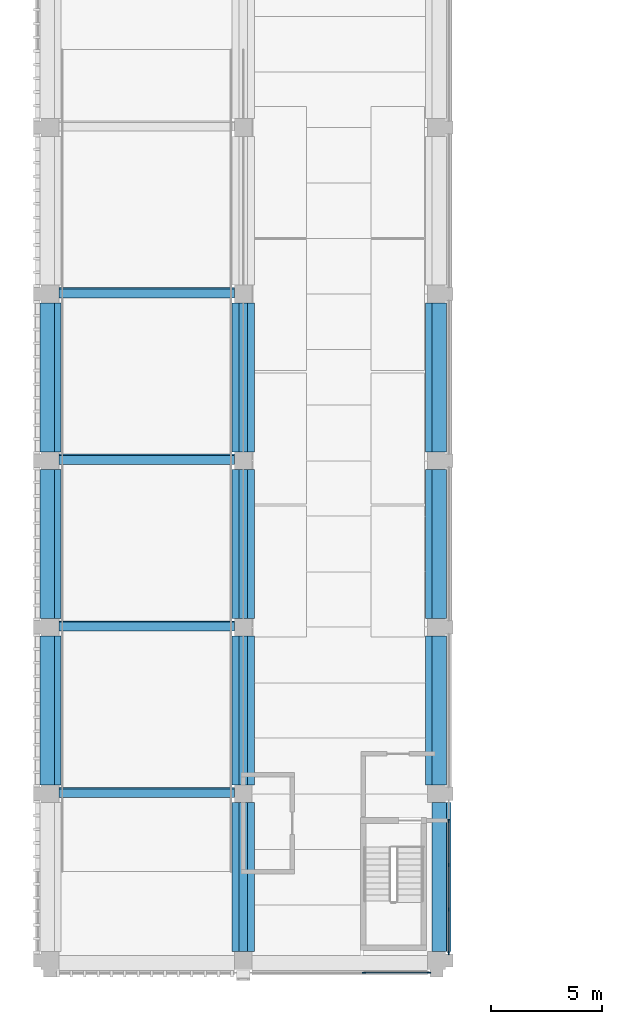
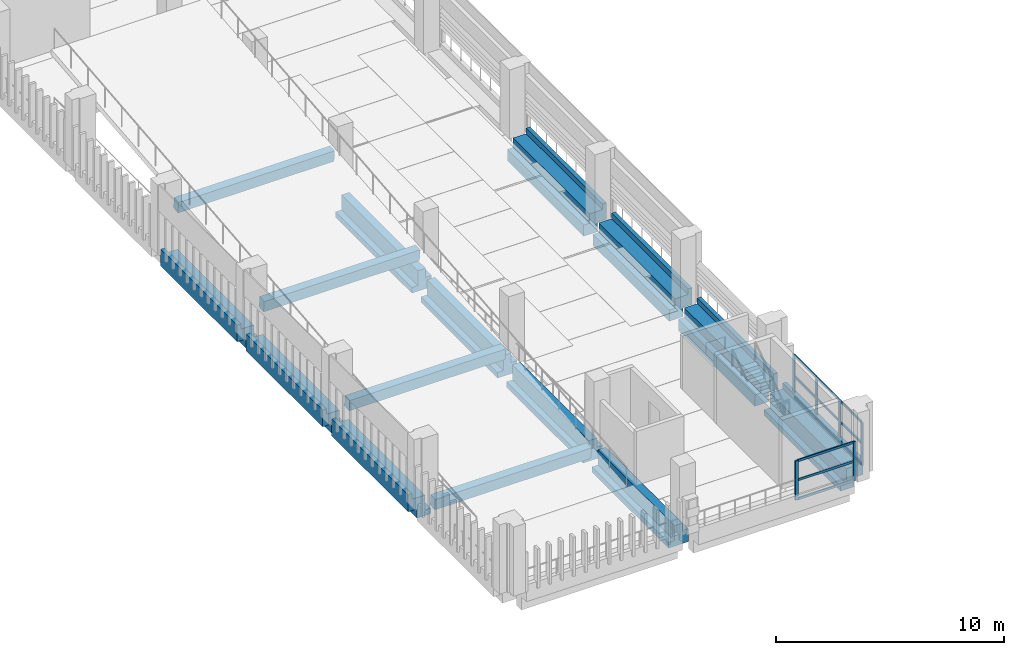
# One storey, part 2 of 62: 18 members, 15 beams, 2 elements without a shape of their own.
"""IFC4 building model written with IfcOpenShell, lengths in metres."""

from ifc_helpers import new_model, si_unit, direction, frame, origin, origin_2d, place, context, subcontext, project, spatial, polyline, rectangle, outline, extrude, material, layer, layer_set, material_profile, profile_set, type_object, element, aggregate, save


model = new_model("IFC4")

# Units and contexts
model_context = context("Model", 3, precision=1e-05, world=origin(), true_north=direction((0.0, 1.0)))
body_context = subcontext(model_context, "Body", "Model", "MODEL_VIEW")
ifc_project = project(units=[si_unit("LENGTHUNIT", "METRE"), si_unit("AREAUNIT", "SQUARE_METRE"), si_unit("VOLUMEUNIT", "CUBIC_METRE"), si_unit("PLANEANGLEUNIT", "RADIAN"), si_unit("MASSUNIT", "GRAM", prefix="KILO")], contexts=[model_context])

# Site, building, storey
site_placement = place(None, origin())
site = spatial("IfcSite", under=ifc_project, at=site_placement, CompositionType="ELEMENT")
building_placement = place(site_placement, origin())
building = spatial("IfcBuilding", under=site, at=building_placement, Name="Cour d'Honneur Mobility Palace", CompositionType="ELEMENT")
storey_placement = place(building_placement, frame((0.0, 0.0, 19.300048828125)))
storey = spatial("IfcBuildingStorey", under=building, at=storey_placement, Name="L05", CompositionType="ELEMENT", Elevation=19.300048828125)

# Curtain wall, members
ifc_material_1 = material(Name="Aluminium and glass", Category="aluminium")
ifc_layer = layer(ifc_material_1, 0.10009765625)
ifc_layer_set = layer_set([ifc_layer], Name="Aluminium and glass")
curtain_wall_type = type_object("IfcCurtainWallType", Name="Curtain wall run", PredefinedType="NOTDEFINED", material=ifc_layer_set)
curtain_wall_1_placement = place(storey_placement, origin())
curtain_wall_1 = element("IfcCurtainWall", 1, at=curtain_wall_1_placement, inside=storey, type_object=curtain_wall_type, Name="Curtain wall CW-161", PredefinedType="NOTDEFINED")
ifc_material_2 = material(Name="Aluminium", Category="aluminium")
ifc_material_profile_1 = material_profile(ifc_material_2, rectangle(XDim=0.06005859375, YDim=0.159912109375, at=origin_2d()), Name="Curtain wall mullion")
ifc_profile_set_1 = profile_set([ifc_material_profile_1], Name="Aluminium")
member_type_1 = type_object("IfcMemberType", Name="Curtain wall mullion", PredefinedType="MULLION", material=ifc_profile_set_1)
member_1_placement = place(storey_placement, frame((14.1298828125, -0.550048828125, 0.0), z_axis=(0.0, 0.0, 1.0), x_axis=(0.0, 1.0, 0.0)))
member_1 = element("IfcMember", 2, at=member_1_placement, type_object=member_type_1, Name="CW-161 mullion 1", PredefinedType="MULLION", context=body_context, shape_type="SweptSolid", body=[
    extrude(rectangle(XDim=0.06005859375, YDim=0.159912109375, at=origin_2d()), origin(), (0.0, 0.0, 1.0), 2.099853515625),
])
member_2_placement = place(storey_placement, frame((17.070068359375, -0.550048828125, 0.0), z_axis=(0.0, 0.0, 1.0), x_axis=(0.0, 1.0, 0.0)))
member_2 = element("IfcMember", 3, at=member_2_placement, type_object=member_type_1, Name="CW-161 mullion 2", PredefinedType="MULLION", context=body_context, shape_type="SweptSolid", body=[
    extrude(rectangle(XDim=0.06005859375, YDim=0.159912109375, at=origin_2d()), origin(), (0.0, 0.0, 1.0), 2.099853515625),
])

curtain_wall_2_placement = place(storey_placement, origin())
curtain_wall_2 = element("IfcCurtainWall", 4, at=curtain_wall_2_placement, inside=storey, type_object=curtain_wall_type, Name="Curtain wall CW-162", PredefinedType="NOTDEFINED")
member_3_placement = place(storey_placement, frame((17.949951171875, 0.330078125, 0.0), z_axis=(0.0, 0.0, 1.0), x_axis=(-1.0, 0.0, 0.0)))
member_3 = element("IfcMember", 5, at=member_3_placement, type_object=member_type_1, Name="CW-162 mullion 1", PredefinedType="MULLION", context=body_context, shape_type="SweptSolid", body=[
    extrude(rectangle(XDim=0.06005859375, YDim=0.159912109375, at=origin_2d()), origin(), (0.0, 0.0, 1.0), 2.300048828125),
])
member_4_placement = place(storey_placement, frame((17.949951171875, 2.300048828125, 0.0), z_axis=(0.0, 0.0, 1.0), x_axis=(-1.0, 0.0, 0.0)))
member_4 = element("IfcMember", 6, at=member_4_placement, type_object=member_type_1, Name="CW-162 mullion 2", PredefinedType="MULLION", context=body_context, shape_type="SweptSolid", body=[
    extrude(rectangle(XDim=0.06005859375, YDim=0.159912109375, at=origin_2d()), origin(), (0.0, 0.0, 1.0), 2.300048828125),
])
member_5_placement = place(storey_placement, frame((17.949951171875, 4.300048828125, 0.0), z_axis=(0.0, 0.0, 1.0), x_axis=(-1.0, 0.0, 0.0)))
member_5 = element("IfcMember", 7, at=member_5_placement, type_object=member_type_1, Name="CW-162 mullion 3", PredefinedType="MULLION", context=body_context, shape_type="SweptSolid", body=[
    extrude(rectangle(XDim=0.06005859375, YDim=0.159912109375, at=origin_2d()), origin(), (0.0, 0.0, 1.0), 2.300048828125),
])
member_6_placement = place(storey_placement, frame((17.949951171875, 6.27001953125, 0.0), z_axis=(0.0, 0.0, 1.0), x_axis=(-1.0, 0.0, 0.0)))
member_6 = element("IfcMember", 8, at=member_6_placement, type_object=member_type_1, Name="CW-162 mullion 4", PredefinedType="MULLION", context=body_context, shape_type="SweptSolid", body=[
    extrude(rectangle(XDim=0.06005859375, YDim=0.159912109375, at=origin_2d()), origin(), (0.0, 0.0, 1.0), 2.300048828125),
])

# Member
ifc_material_3 = material(Name="Aluminium", Category="aluminium")
ifc_material_profile_2 = material_profile(ifc_material_3, rectangle(XDim=0.06005859375, YDim=0.1201171875, at=origin_2d()), Name="Curtain wall transom")
ifc_profile_set_2 = profile_set([ifc_material_profile_2], Name="Aluminium")
member_type_2 = type_object("IfcMemberType", Name="Curtain wall transom", PredefinedType="USERDEFINED", material=ifc_profile_set_2)
member_7_placement = place(storey_placement, frame((14.159912109375, -0.550048828125, 0.030029296875), z_axis=(1.0, 0.0, 0.0), x_axis=(0.0, 1.0, 0.0)))
member_7 = element("IfcMember", 9, at=member_7_placement, type_object=member_type_2, Name="CW-161 transom 1.1", ObjectType="TRANSOM", PredefinedType="USERDEFINED", context=body_context, shape_type="SweptSolid", body=[
    extrude(rectangle(XDim=0.06005859375, YDim=0.1201171875, at=origin_2d()), origin(), (0.0, 0.0, 1.0), 2.880126953125),
])

member_8_placement = place(storey_placement, frame((14.159912109375, -0.550048828125, 1.050048828125), z_axis=(1.0, 0.0, 0.0), x_axis=(0.0, 1.0, 0.0)))
member_8 = element("IfcMember", 10, at=member_8_placement, type_object=member_type_2, Name="CW-161 transom 1.2", ObjectType="TRANSOM", PredefinedType="USERDEFINED", context=body_context, shape_type="SweptSolid", body=[
    extrude(rectangle(XDim=0.06005859375, YDim=0.1201171875, at=origin_2d()), origin(), (0.0, 0.0, 1.0), 2.880126953125),
])

member_9_placement = place(storey_placement, frame((14.159912109375, -0.550048828125, 2.070068359375), z_axis=(1.0, 0.0, 0.0), x_axis=(0.0, 1.0, 0.0)))
member_9 = element("IfcMember", 11, at=member_9_placement, type_object=member_type_2, Name="CW-161 transom 1.3", ObjectType="TRANSOM", PredefinedType="USERDEFINED", context=body_context, shape_type="SweptSolid", body=[
    extrude(rectangle(XDim=0.06005859375, YDim=0.1201171875, at=origin_2d()), origin(), (0.0, 0.0, 1.0), 2.880126953125),
])

aggregate(curtain_wall_1, [member_1, member_2, member_7, member_8, member_9])

member_10_placement = place(storey_placement, frame((17.949951171875, 0.360107421875, 0.030029296875), z_axis=(0.0, 1.0, 0.0), x_axis=(-1.0, 0.0, 0.0)))
member_10 = element("IfcMember", 12, at=member_10_placement, type_object=member_type_2, Name="CW-162 transom 1.1", ObjectType="TRANSOM", PredefinedType="USERDEFINED", context=body_context, shape_type="SweptSolid", body=[
    extrude(rectangle(XDim=0.06005859375, YDim=0.1201171875, at=origin_2d()), origin(), (0.0, 0.0, 1.0), 1.909912109375),
])

member_11_placement = place(storey_placement, frame((17.949951171875, 0.360107421875, 1.14990234375), z_axis=(0.0, 1.0, 0.0), x_axis=(-1.0, 0.0, 0.0)))
member_11 = element("IfcMember", 13, at=member_11_placement, type_object=member_type_2, Name="CW-162 transom 1.2", ObjectType="TRANSOM", PredefinedType="USERDEFINED", context=body_context, shape_type="SweptSolid", body=[
    extrude(rectangle(XDim=0.06005859375, YDim=0.1201171875, at=origin_2d()), origin(), (0.0, 0.0, 1.0), 1.909912109375),
])

member_12_placement = place(storey_placement, frame((17.949951171875, 0.360107421875, 2.27001953125), z_axis=(0.0, 1.0, 0.0), x_axis=(-1.0, 0.0, 0.0)))
member_12 = element("IfcMember", 14, at=member_12_placement, type_object=member_type_2, Name="CW-162 transom 1.3", ObjectType="TRANSOM", PredefinedType="USERDEFINED", context=body_context, shape_type="SweptSolid", body=[
    extrude(rectangle(XDim=0.06005859375, YDim=0.1201171875, at=origin_2d()), origin(), (0.0, 0.0, 1.0), 1.909912109375),
])

member_13_placement = place(storey_placement, frame((17.949951171875, 2.330078125, 0.030029296875), z_axis=(0.0, 1.0, 0.0), x_axis=(-1.0, 0.0, 0.0)))
member_13 = element("IfcMember", 15, at=member_13_placement, type_object=member_type_2, Name="CW-162 transom 2.1", ObjectType="TRANSOM", PredefinedType="USERDEFINED", context=body_context, shape_type="SweptSolid", body=[
    extrude(rectangle(XDim=0.06005859375, YDim=0.1201171875, at=origin_2d()), origin(), (0.0, 0.0, 1.0), 1.93994140625),
])

member_14_placement = place(storey_placement, frame((17.949951171875, 2.330078125, 1.14990234375), z_axis=(0.0, 1.0, 0.0), x_axis=(-1.0, 0.0, 0.0)))
member_14 = element("IfcMember", 16, at=member_14_placement, type_object=member_type_2, Name="CW-162 transom 2.2", ObjectType="TRANSOM", PredefinedType="USERDEFINED", context=body_context, shape_type="SweptSolid", body=[
    extrude(rectangle(XDim=0.06005859375, YDim=0.1201171875, at=origin_2d()), origin(), (0.0, 0.0, 1.0), 1.93994140625),
])

member_15_placement = place(storey_placement, frame((17.949951171875, 2.330078125, 2.27001953125), z_axis=(0.0, 1.0, 0.0), x_axis=(-1.0, 0.0, 0.0)))
member_15 = element("IfcMember", 17, at=member_15_placement, type_object=member_type_2, Name="CW-162 transom 2.3", ObjectType="TRANSOM", PredefinedType="USERDEFINED", context=body_context, shape_type="SweptSolid", body=[
    extrude(rectangle(XDim=0.06005859375, YDim=0.1201171875, at=origin_2d()), origin(), (0.0, 0.0, 1.0), 1.93994140625),
])

member_16_placement = place(storey_placement, frame((17.949951171875, 4.330078125, 0.030029296875), z_axis=(0.0, 1.0, 0.0), x_axis=(-1.0, 0.0, 0.0)))
member_16 = element("IfcMember", 18, at=member_16_placement, type_object=member_type_2, Name="CW-162 transom 3.1", ObjectType="TRANSOM", PredefinedType="USERDEFINED", context=body_context, shape_type="SweptSolid", body=[
    extrude(rectangle(XDim=0.06005859375, YDim=0.1201171875, at=origin_2d()), origin(), (0.0, 0.0, 1.0), 1.909912109375),
])

member_17_placement = place(storey_placement, frame((17.949951171875, 4.330078125, 1.14990234375), z_axis=(0.0, 1.0, 0.0), x_axis=(-1.0, 0.0, 0.0)))
member_17 = element("IfcMember", 19, at=member_17_placement, type_object=member_type_2, Name="CW-162 transom 3.2", ObjectType="TRANSOM", PredefinedType="USERDEFINED", context=body_context, shape_type="SweptSolid", body=[
    extrude(rectangle(XDim=0.06005859375, YDim=0.1201171875, at=origin_2d()), origin(), (0.0, 0.0, 1.0), 1.909912109375),
])

member_18_placement = place(storey_placement, frame((17.949951171875, 4.330078125, 2.27001953125), z_axis=(0.0, 1.0, 0.0), x_axis=(-1.0, 0.0, 0.0)))
member_18 = element("IfcMember", 20, at=member_18_placement, type_object=member_type_2, Name="CW-162 transom 3.3", ObjectType="TRANSOM", PredefinedType="USERDEFINED", context=body_context, shape_type="SweptSolid", body=[
    extrude(rectangle(XDim=0.06005859375, YDim=0.1201171875, at=origin_2d()), origin(), (0.0, 0.0, 1.0), 1.909912109375),
])

aggregate(curtain_wall_2, [member_3, member_4, member_5, member_6, member_10, member_11, member_12, member_13, member_14, member_15, member_16, member_17, member_18])

# Beams
ifc_material_4 = material(Name="Concrete C45", Category="concrete")
ifc_material_profile_3 = material_profile(ifc_material_4, outline(polyline([(0.5, -1.10009765625), (0.5, -0.800048828125), (0.199951171875, -0.800048828125), (0.199951171875, 0.0), (-0.199951171875, 0.0), (-0.199951171875, -0.5), (-0.5, -0.5), (-0.5, -1.10009765625), (0.5, -1.10009765625)])), Name="Inverted Tee Beam 400x1100 ledges 300/600 plain")
ifc_profile_set_3 = profile_set([ifc_material_profile_3], Name="Concrete C45")
beam_type_1 = type_object("IfcBeamType", Name="Inverted Tee Beam 400x1100 ledges 300/600 plain", PredefinedType="T_BEAM", material=ifc_profile_set_3)
for number, where, z_axis, x_axis, name in (
    (21, (8.699951171875, 7.89990234375, 0.0), (0.0, 1.0, 0.0), (-1.0, 0.0, 0.0), "Precast beam B11 B-C L05"),
    (22, (8.699951171875, 15.39990234375, 0.0), (0.0, 1.0, 0.0), (-1.0, 0.0, 0.0), "Precast beam B11 C-D L05"),
    (23, (8.699951171875, 22.89990234375, 0.0), (0.0, 1.0, 0.0), (-1.0, 0.0, 0.0), "Precast beam B11 D-E L05"),
):
    element("IfcBeam", number, at=place(storey_placement, frame(where, z_axis=z_axis, x_axis=x_axis)), inside=storey, type_object=beam_type_1, Name=name, PredefinedType="T_BEAM", context=body_context, shape_type="SweptSolid", body=[
        extrude(outline(polyline([(0.5, -1.10009765625), (0.5, -0.800048828125), (0.199951171875, -0.800048828125), (0.199951171875, 0.0), (-0.199951171875, 0.0), (-0.199951171875, -0.5), (-0.5, -0.5), (-0.5, -1.10009765625), (0.5, -1.10009765625)])), origin(), (0.0, 0.0, 1.0), 6.7001953125),
    ])
ifc_material_5 = material(Name="Concrete C45", Category="concrete")
ifc_material_profile_4 = material_profile(ifc_material_5, outline(polyline([(0.5, -1.10009765625), (0.5, -0.800048828125), (0.199951171875, -0.800048828125), (0.199951171875, 0.0), (-0.199951171875, 0.0), (-0.199951171875, -0.39990234375), (-0.5, -0.39990234375), (-0.5, -1.10009765625), (0.5, -1.10009765625)])), Name="Inverted Tee Beam 400x1100 ledges 300/700 plain")
ifc_profile_set_4 = profile_set([ifc_material_profile_4], Name="Concrete C45")
beam_type_2 = type_object("IfcBeamType", Name="Inverted Tee Beam 400x1100 ledges 300/700 plain", PredefinedType="T_BEAM", material=ifc_profile_set_4)
beam_1_placement = place(storey_placement, frame((8.699951171875, 0.39990234375, 0.0), z_axis=(0.0, 1.0, 0.0), x_axis=(-1.0, 0.0, 0.0)))
element("IfcBeam", 24, at=beam_1_placement, inside=storey, type_object=beam_type_2, Name="Precast beam B10 A-B L05", PredefinedType="T_BEAM", context=body_context, shape_type="SweptSolid", body=[
    extrude(outline(polyline([(0.5, -1.10009765625), (0.5, -0.800048828125), (0.199951171875, -0.800048828125), (0.199951171875, 0.0), (-0.199951171875, 0.0), (-0.199951171875, -0.39990234375), (-0.5, -0.39990234375), (-0.5, -1.10009765625), (0.5, -1.10009765625)])), origin(), (0.0, 0.0, 1.0), 6.7001953125),
])
ifc_material_6 = material(Name="Concrete C45", Category="concrete")
ifc_material_profile_5 = material_profile(ifc_material_6, outline(polyline([(0.5, -1.10009765625), (0.5, -0.800048828125), (0.199951171875, -0.800048828125), (0.199951171875, 0.0), (-0.199951171875, 0.0), (-0.449951171875, 0.0), (-0.449951171875, 0.300048828125), (-0.64990234375, 0.300048828125), (-0.64990234375, -0.60009765625), (-0.199951171875, -0.60009765625), (-0.199951171875, -1.10009765625), (0.5, -1.10009765625)])), Name="Ledger Beam 400x1100 ledge left 300 facade right")
ifc_profile_set_5 = profile_set([ifc_material_profile_5], Name="Concrete C45")
beam_type_3 = type_object("IfcBeamType", Name="Ledger Beam 400x1100 ledge left 300 facade right", PredefinedType="BEAM", material=ifc_profile_set_5)
beam_2_placement = place(storey_placement, frame((17.39990234375, 0.39990234375, 0.0), z_axis=(0.0, 1.0, 0.0), x_axis=(-1.0, 0.0, 0.0)))
element("IfcBeam", 25, at=beam_2_placement, inside=storey, type_object=beam_type_3, Name="Precast beam B3 A-B L05", PredefinedType="BEAM", context=body_context, shape_type="SweptSolid", body=[
    extrude(outline(polyline([(0.5, -1.10009765625), (0.5, -0.800048828125), (0.199951171875, -0.800048828125), (0.199951171875, 0.0), (-0.199951171875, 0.0), (-0.449951171875, 0.0), (-0.449951171875, 0.300048828125), (-0.64990234375, 0.300048828125), (-0.64990234375, -0.60009765625), (-0.199951171875, -0.60009765625), (-0.199951171875, -1.10009765625), (0.5, -1.10009765625)])), origin(), (0.0, 0.0, 1.0), 6.7001953125),
])
ifc_material_7 = material(Name="Concrete C45", Category="concrete")
ifc_material_profile_6 = material_profile(ifc_material_7, outline(polyline([(0.5, -1.10009765625), (0.5, -0.5), (0.199951171875, -0.5), (0.199951171875, 0.0), (-0.199951171875, 0.0), (-0.449951171875, 0.0), (-0.449951171875, 0.300048828125), (-0.64990234375, 0.300048828125), (-0.64990234375, -0.60009765625), (-0.199951171875, -0.60009765625), (-0.199951171875, -1.10009765625), (0.5, -1.10009765625)])), Name="Ledger Beam 400x1100 ledge left 600 facade right")
ifc_profile_set_6 = profile_set([ifc_material_profile_6], Name="Concrete C45")
beam_type_4 = type_object("IfcBeamType", Name="Ledger Beam 400x1100 ledge left 600 facade right", PredefinedType="BEAM", material=ifc_profile_set_6)
for number, where, z_axis, x_axis, name in (
    (26, (17.39990234375, 7.89990234375, 0.0), (0.0, 1.0, 0.0), (-1.0, 0.0, 0.0), "Precast beam B12 B-C L05"),
    (27, (17.39990234375, 15.39990234375, 0.0), (0.0, 1.0, 0.0), (-1.0, 0.0, 0.0), "Precast beam B12 C-D L05"),
    (28, (17.39990234375, 22.89990234375, 0.0), (0.0, 1.0, 0.0), (-1.0, 0.0, 0.0), "Precast beam B12 D-E L05"),
):
    element("IfcBeam", number, at=place(storey_placement, frame(where, z_axis=z_axis, x_axis=x_axis)), inside=storey, type_object=beam_type_4, Name=name, PredefinedType="BEAM", context=body_context, shape_type="SweptSolid", body=[
        extrude(outline(polyline([(0.5, -1.10009765625), (0.5, -0.5), (0.199951171875, -0.5), (0.199951171875, 0.0), (-0.199951171875, 0.0), (-0.449951171875, 0.0), (-0.449951171875, 0.300048828125), (-0.64990234375, 0.300048828125), (-0.64990234375, -0.60009765625), (-0.199951171875, -0.60009765625), (-0.199951171875, -1.10009765625), (0.5, -1.10009765625)])), origin(), (0.0, 0.0, 1.0), 6.7001953125),
    ])
ifc_material_8 = material(Name="Concrete C45", Category="concrete")
ifc_material_profile_7 = material_profile(ifc_material_8, outline(polyline([(0.199951171875, -1.10009765625), (0.199951171875, -0.60009765625), (0.64990234375, -0.60009765625), (0.64990234375, 0.300048828125), (0.449951171875, 0.300048828125), (0.449951171875, 0.0), (0.199951171875, 0.0), (-0.199951171875, 0.0), (-0.199951171875, -0.800048828125), (-0.5, -0.800048828125), (-0.5, -1.10009765625), (0.199951171875, -1.10009765625)])), Name="Ledger Beam 400x1100 ledge right 300 facade left")
ifc_profile_set_7 = profile_set([ifc_material_profile_7], Name="Concrete C45")
beam_type_5 = type_object("IfcBeamType", Name="Ledger Beam 400x1100 ledge right 300 facade left", PredefinedType="BEAM", material=ifc_profile_set_7)
for number, where, z_axis, x_axis, name in (
    (29, (0.0, 7.89990234375, 0.0), (0.0, 1.0, 0.0), (-1.0, 0.0, 0.0), "Precast beam B6 B-C L05"),
    (30, (0.0, 15.39990234375, 0.0), (0.0, 1.0, 0.0), (-1.0, 0.0, 0.0), "Precast beam B6 C-D L05"),
    (31, (0.0, 22.89990234375, 0.0), (0.0, 1.0, 0.0), (-1.0, 0.0, 0.0), "Precast beam B6 D-E L05"),
):
    element("IfcBeam", number, at=place(storey_placement, frame(where, z_axis=z_axis, x_axis=x_axis)), inside=storey, type_object=beam_type_5, Name=name, PredefinedType="BEAM", context=body_context, shape_type="SweptSolid", body=[
        extrude(outline(polyline([(0.199951171875, -1.10009765625), (0.199951171875, -0.60009765625), (0.64990234375, -0.60009765625), (0.64990234375, 0.300048828125), (0.449951171875, 0.300048828125), (0.449951171875, 0.0), (0.199951171875, 0.0), (-0.199951171875, 0.0), (-0.199951171875, -0.800048828125), (-0.5, -0.800048828125), (-0.5, -1.10009765625), (0.199951171875, -1.10009765625)])), origin(), (0.0, 0.0, 1.0), 6.7001953125),
    ])
ifc_material_9 = material(Name="Concrete C40", Category="concrete")
ifc_material_profile_8 = material_profile(ifc_material_9, rectangle(XDim=0.39990234375, YDim=0.60009765625, at=origin_2d()), Name="Ramp cross beam 400x600")
ifc_profile_set_8 = profile_set([ifc_material_profile_8], Name="Concrete C40")
beam_type_6 = type_object("IfcBeamType", Name="Ramp cross beam 400x600", PredefinedType="BEAM", material=ifc_profile_set_8)
for number, where, z_axis, x_axis, name in (
    (32, (0.39990234375, 7.559814453125, -0.2470703125), (1.0, 0.0, 0.0), (0.0, 0.995037190449, 0.099503716633), "Ramp cross beam SW.R5-1"),
    (33, (0.39990234375, 15.059814453125, 0.5029296875), (1.0, 0.0, 0.0), (0.0, 0.995037190449, 0.099503716633), "Ramp cross beam SW.R5-2"),
    (34, (0.39990234375, 22.559814453125, 1.2529296875), (1.0, 0.0, 0.0), (0.0, 0.995037190449, 0.099503716633), "Ramp cross beam SW.R5-3"),
    (35, (0.39990234375, 30.059814453125, 2.0029296875), (1.0, 0.0, 0.0), (0.0, 0.995037190449, 0.099503716633), "Ramp cross beam SW.R5-4"),
):
    element("IfcBeam", number, at=place(storey_placement, frame(where, z_axis=z_axis, x_axis=x_axis)), inside=storey, type_object=beam_type_6, Name=name, PredefinedType="BEAM", context=body_context, shape_type="SweptSolid", body=[
        extrude(rectangle(XDim=0.39990234375, YDim=0.60009765625, at=origin_2d()), origin(), (0.0, 0.0, 1.0), 7.900146484375),
    ])

save(model, "model.ifc")
